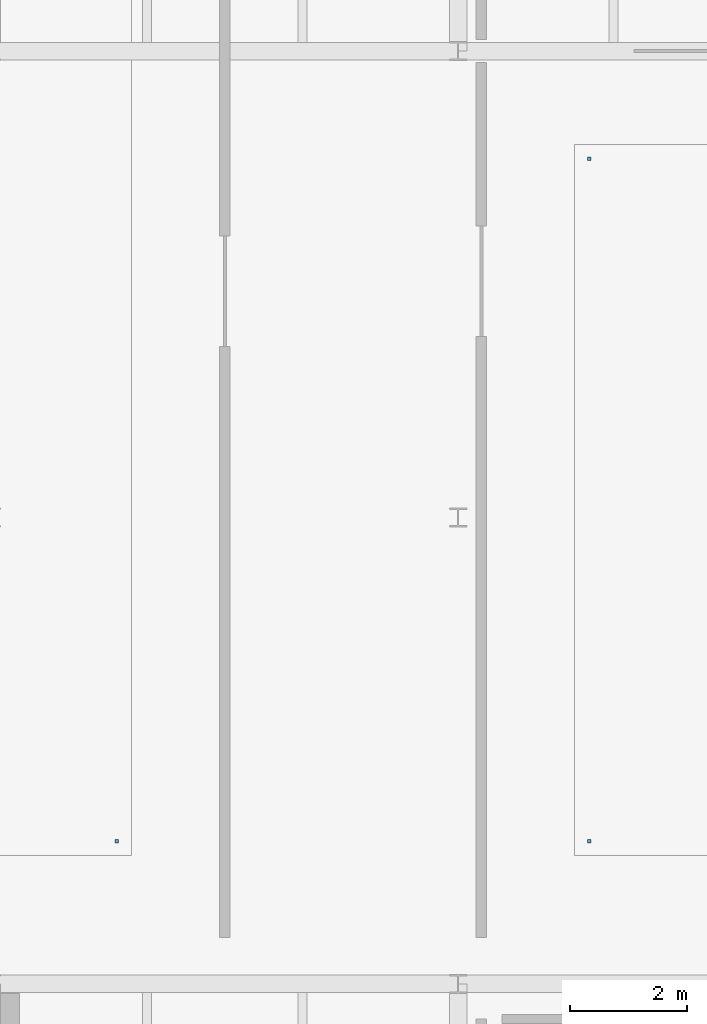
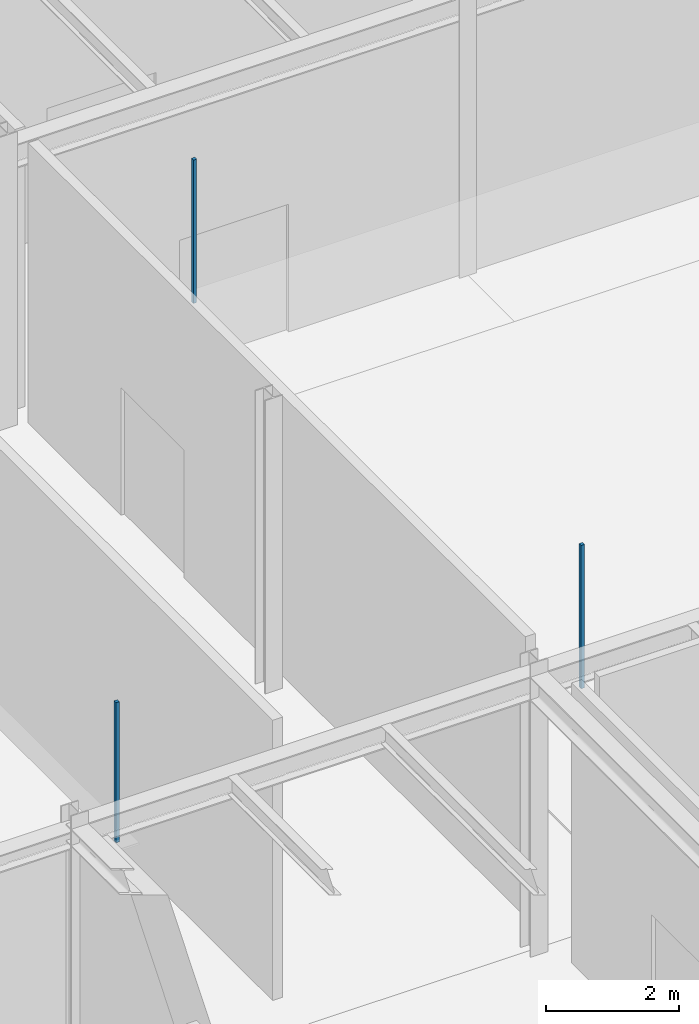
# One storey, part 92 of 129: 3 discrete accessories.
"""IFC4 building model written with IfcOpenShell, lengths in metres."""

from ifc_helpers import new_model, si_unit, direction, frame, origin, origin_2d, place, context, subcontext, project, spatial, rectangle, extrude, material, type_object, element, save


model = new_model("IFC4")

# Units and contexts
model_context = context("Model", 3, precision=1e-05, world=origin(), true_north=direction((0.0, 1.0)))
body_context = subcontext(model_context, "Body", "Model", "MODEL_VIEW")
ifc_project = project(units=[si_unit("LENGTHUNIT", "METRE"), si_unit("AREAUNIT", "SQUARE_METRE"), si_unit("VOLUMEUNIT", "CUBIC_METRE"), si_unit("PLANEANGLEUNIT", "RADIAN"), si_unit("MASSUNIT", "GRAM", prefix="KILO")], contexts=[model_context])

# Site, building, storey
site_placement = place(None, origin())
site = spatial("IfcSite", under=ifc_project, at=site_placement, CompositionType="ELEMENT")
building_placement = place(site_placement, origin())
building = spatial("IfcBuilding", under=site, at=building_placement, Name="Sundkrona Museum", CompositionType="ELEMENT")
storey_placement = place(building_placement, origin())
storey = spatial("IfcBuildingStorey", under=building, at=storey_placement, Name="L00", CompositionType="ELEMENT", Elevation=0.0)

# Discrete accessories
ifc_material = material(Name="Stainless Steel EN 1.4404 Cleat", Category="steel")
discrete_accessory_type = type_object("IfcDiscreteAccessoryType", Name="BRK-FIN-01", PredefinedType="BRACKET", material=ifc_material)
discrete_accessory_placement = place(storey_placement, frame((26.14990234375, 80.449951171875, 2.550048828125), z_axis=(0.0, 0.0, 1.0), x_axis=(1.0, 0.0, 0.0)))
element("IfcDiscreteAccessory", 1, at=discrete_accessory_placement, inside=storey, type_object=discrete_accessory_type, Name="L00 Permanent Visual Arts Gallery Ceiling Hanger 2", PredefinedType="BRACKET", context=body_context, shape_type="SweptSolid", body=[
    extrude(rectangle(XDim=0.06005859375, YDim=0.06005859375, at=origin_2d()), origin(), (0.0, 0.0, 1.0), 2.580078125),
])
for number, where, z_axis, x_axis, name in (
    (2, (34.25, 80.449951171875, 2.55029296875), (0.0, 0.0, 1.0), (1.0, 0.0, 0.0), "L00 Sculpture Cloister Gallery Ceiling Hanger 1"),
    (3, (34.25, 92.14990234375, 2.55029296875), (0.0, 0.0, 1.0), (1.0, 0.0, 0.0), "L00 Sculpture Cloister Gallery Ceiling Hanger 4"),
):
    element("IfcDiscreteAccessory", number, at=place(storey_placement, frame(where, z_axis=z_axis, x_axis=x_axis)), inside=storey, type_object=discrete_accessory_type, Name=name, PredefinedType="BRACKET", context=body_context, shape_type="SweptSolid", body=[
        extrude(rectangle(XDim=0.06005859375, YDim=0.06005859375, at=origin_2d()), origin(), (0.0, 0.0, 1.0), 2.639892578125),
    ])

save(model, "model.ifc")
